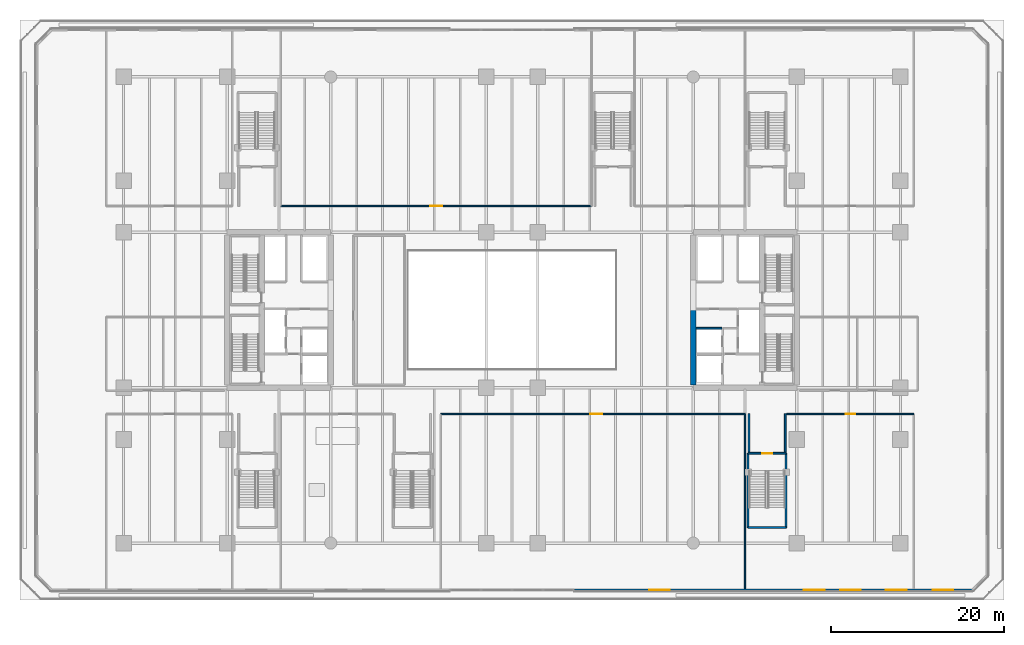
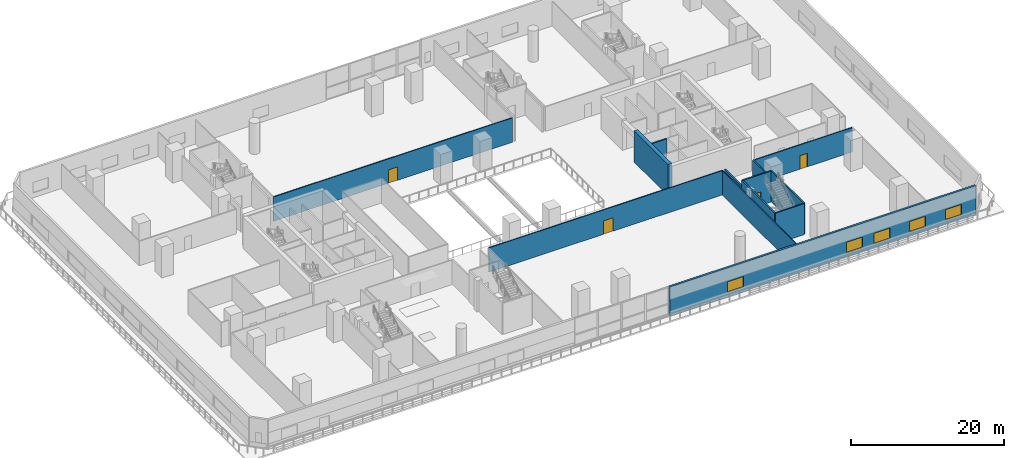
# One storey, part 8 of 24: 13 walls, 5 windows, 4 doors, 9 openings.
"""IFC4 building model written with IfcOpenShell, lengths in metres."""

from ifc_helpers import new_model, si_unit, direction, frame, frame_2d, origin, place, context, subcontext, project, spatial, rectangle, extrude, material, layer, layer_set, type_object, element, fill, save


model = new_model("IFC4")

# Units and contexts
model_context = context("Model", 3, precision=1e-05, world=origin(), true_north=direction((0.0, 1.0)))
body_context = subcontext(model_context, "Body", "Model", "MODEL_VIEW")
ifc_project = project(units=[si_unit("LENGTHUNIT", "METRE"), si_unit("AREAUNIT", "SQUARE_METRE"), si_unit("VOLUMEUNIT", "CUBIC_METRE"), si_unit("PLANEANGLEUNIT", "RADIAN"), si_unit("MASSUNIT", "GRAM", prefix="KILO")], contexts=[model_context])

# Site, building, storey
site_placement = place(None, origin())
site = spatial("IfcSite", under=ifc_project, at=site_placement, CompositionType="ELEMENT")
building_placement = place(site_placement, origin())
building = spatial("IfcBuilding", under=site, at=building_placement, Name="Tanjung Sevakor Pilgrim Tower", CompositionType="ELEMENT")
storey_placement = place(building_placement, frame((0.0, 0.0, 4.949951171875)))
storey = spatial("IfcBuildingStorey", under=building, at=storey_placement, Name="L02", CompositionType="ELEMENT", Elevation=4.949951171875)

# Wall
ifc_material_1 = material(Name="Concrete C60/75", Category="concrete")
ifc_layer_1 = layer(ifc_material_1, 0.60009765625)
ifc_layer_set_1 = layer_set([ifc_layer_1], Name="WALL-CW-600")
wall_type_1 = type_object("IfcWallType", Name="WALL-CW-600", PredefinedType="SHEAR", material=ifc_layer_set_1)
wall_1_placement = place(storey_placement, frame((78.0, 24.89990234375, 0.0), z_axis=(0.0, 0.0, 1.0), x_axis=(0.0, 1.0, 0.0)))
element("IfcWall", 1, at=wall_1_placement, inside=storey, type_object=wall_type_1, Name="L02 E Core Inner Shear Wall South", PredefinedType="SHEAR", context=body_context, shape_type="SweptSolid", body=[
    extrude(rectangle(XDim=8.900146484375, YDim=0.60009765625, at=frame_2d((4.4501953125, 0.0))), origin(), (0.0, 0.0, 1.0), 4.949951171875),
])

# Wall, opening, door
ifc_material_2 = material(Name="Concrete C40/50", Category="concrete")
ifc_layer_2 = layer(ifc_material_2, 0.14990234375)
ifc_layer_set_2 = layer_set([ifc_layer_2], Name="WT-COMP-150")
wall_type_2 = type_object("IfcWallType", Name="WT-COMP-150", PredefinedType="SOLIDWALL", material=ifc_layer_set_2)
wall_2_placement = place(storey_placement, frame((48.75, 21.550048828125, 0.0), z_axis=(0.0, 0.0, 1.0), x_axis=(1.0, 0.0, 0.0)))
wall_2 = element("IfcWall", 2, at=wall_2_placement, inside=storey, type_object=wall_type_2, Name="L02 Partition IW-L02-039", PredefinedType="SOLIDWALL", context=body_context, shape_type="SweptSolid", body=[
    extrude(rectangle(XDim=35.25, YDim=0.14990234375, at=frame_2d((17.625, 0.0))), origin(), (0.0, 0.0, 1.0), 3.889892578125),
])
opening_1_placement = place(wall_2_placement, frame((17.300048828125, 0.0, 0.0)))
opening_1 = element("IfcOpeningElement", 3, at=opening_1_placement, cuts=wall_2, Name="Opening ID-HD1", PredefinedType="OPENING", context=body_context, shape_type="SweptSolid", body=[
    extrude(rectangle(XDim=1.39990234375, YDim=2.14990234375, at=frame_2d((0.699951171875, 1.074951171875))), frame((0.0, 0.0849609375, 0.0), z_axis=(0.0, -1.0, 0.0), x_axis=(1.0, 0.0, 0.0)), (0.0, 0.0, 1.0), 0.169921875),
])
ifc_material_3 = material(Name="Hardwood Timber", Category="wood")
door_type_1 = type_object("IfcDoorType", Name="DT-INT-1400", OperationType="DOUBLE_DOOR_SINGLE_SWING", PredefinedType="DOOR", material=ifc_material_3)
door_1_placement = place(opening_1_placement, origin())
door_1 = element("IfcDoor", 4, at=door_1_placement, inside=storey, type_object=door_type_1, Name="L02 Prayer Hall East Door", OperationType="SINGLE_SWING_RIGHT", OverallHeight=2.14990234375, OverallWidth=1.39990234375, PredefinedType="DOOR", context=body_context, shape_type="SweptSolid", body=[
    extrude(rectangle(XDim=1.39990234375, YDim=2.14990234375, at=frame_2d((0.699951171875, 1.074951171875))), frame((0.0, 0.02490234375, 0.0), z_axis=(0.0, -1.0, 0.0), x_axis=(1.0, 0.0, 0.0)), (0.0, 0.0, 1.0), 0.050048828125),
])
fill(opening_1, door_1)

# Wall
wall_3_placement = place(storey_placement, frame((84.0, 1.300048828125, 0.0), z_axis=(0.0, 0.0, 1.0), x_axis=(0.0, 1.0, 0.0)))
element("IfcWall", 5, at=wall_3_placement, inside=storey, type_object=wall_type_2, Name="L02 Partition IW-L02-041", PredefinedType="SOLIDWALL", context=body_context, shape_type="SweptSolid", body=[
    extrude(rectangle(XDim=20.25, YDim=0.14990234375, at=frame_2d((10.125, 0.0))), origin(), (0.0, 0.0, 1.0), 3.889892578125),
])

# Wall, opening, door
wall_4_placement = place(storey_placement, frame((30.199951171875, 45.64990234375, 0.0), z_axis=(0.0, 0.0, 1.0), x_axis=(1.0, 0.0, 0.0)))
wall_4 = element("IfcWall", 6, at=wall_4_placement, inside=storey, type_object=wall_type_2, Name="L02 Partition IW-L02-042", PredefinedType="SOLIDWALL", context=body_context, shape_type="SweptSolid", body=[
    extrude(rectangle(XDim=36.0, YDim=0.14990234375, at=frame_2d((18.0, 0.0))), origin(), (0.0, 0.0, 1.0), 3.889892578125),
])
opening_2_placement = place(wall_4_placement, frame((17.300048828125, 0.0, 0.0)))
opening_2 = element("IfcOpeningElement", 7, at=opening_2_placement, cuts=wall_4, Name="Opening ID-HD1", PredefinedType="OPENING", context=body_context, shape_type="SweptSolid", body=[
    extrude(rectangle(XDim=1.39990234375, YDim=2.14990234375, at=frame_2d((0.699951171875, 1.074951171875))), frame((0.0, 0.0849609375, 0.0), z_axis=(0.0, -1.0, 0.0), x_axis=(1.0, 0.0, 0.0)), (0.0, 0.0, 1.0), 0.169921875),
])
door_2_placement = place(opening_2_placement, origin())
door_2 = element("IfcDoor", 8, at=door_2_placement, inside=storey, type_object=door_type_1, Name="L02 Prayer Hall North Door", OperationType="SINGLE_SWING_LEFT", OverallHeight=2.14990234375, OverallWidth=1.39990234375, PredefinedType="DOOR", context=body_context, shape_type="SweptSolid", body=[
    extrude(rectangle(XDim=1.39990234375, YDim=2.14990234375, at=frame_2d((0.699951171875, 1.074951171875))), frame((0.0, 0.02490234375, 0.0), z_axis=(0.0, -1.0, 0.0), x_axis=(1.0, 0.0, 0.0)), (0.0, 0.0, 1.0), 0.050048828125),
])
fill(opening_2, door_2)

wall_5_placement = place(storey_placement, frame((88.85009765625, 21.550048828125, 0.0), z_axis=(0.0, 0.0, 1.0), x_axis=(1.0, 0.0, 0.0)))
wall_5 = element("IfcWall", 9, at=wall_5_placement, inside=storey, type_object=wall_type_2, Name="L02 Partition IW-L02-072", PredefinedType="SOLIDWALL", context=body_context, shape_type="SweptSolid", body=[
    extrude(rectangle(XDim=14.699951171875, YDim=0.14990234375, at=frame_2d((7.35009765625, 0.0))), origin(), (0.0, 0.0, 1.0), 3.889892578125),
])
opening_3_placement = place(wall_5_placement, frame((6.800048828125, 0.0, 0.0)))
opening_3 = element("IfcOpeningElement", 10, at=opening_3_placement, cuts=wall_5, Name="Opening ID-RM2", PredefinedType="OPENING", context=body_context, shape_type="SweptSolid", body=[
    extrude(rectangle(XDim=1.10009765625, YDim=2.14990234375, at=frame_2d((0.550048828125, 1.074951171875))), frame((0.0, 0.0849609375, 0.0), z_axis=(0.0, -1.0, 0.0), x_axis=(1.0, 0.0, 0.0)), (0.0, 0.0, 1.0), 0.169921875),
])
ifc_material_4 = material(Name="Hardwood Timber", Category="wood")
door_type_2 = type_object("IfcDoorType", Name="DT-INT-1100", OperationType="NOTDEFINED", PredefinedType="DOOR", material=ifc_material_4)
door_3_placement = place(opening_3_placement, origin())
door_3 = element("IfcDoor", 11, at=door_3_placement, inside=storey, type_object=door_type_2, Name="L02 East Study Door", OperationType="SINGLE_SWING_LEFT", OverallHeight=2.14990234375, OverallWidth=1.10009765625, PredefinedType="DOOR", context=body_context, shape_type="SweptSolid", body=[
    extrude(rectangle(XDim=1.10009765625, YDim=2.14990234375, at=frame_2d((0.550048828125, 1.074951171875))), frame((0.0, 0.02490234375, 0.0), z_axis=(0.0, -1.0, 0.0), x_axis=(1.0, 0.0, 0.0)), (0.0, 0.0, 1.0), 0.050048828125),
])
fill(opening_3, door_3)

# Wall, openings, windows
ifc_material_5 = material(Name="Precast concrete C45/55", Category="concrete")
ifc_layer_3 = layer(ifc_material_5, 0.300048828125)
ifc_layer_set_3 = layer_set([ifc_layer_3], Name="WT-EW-STN1")
wall_type_3 = type_object("IfcWallType", Name="WT-EW-STN1", PredefinedType="SOLIDWALL", material=ifc_layer_set_3)
wall_6_placement = place(storey_placement, frame((64.199951171875, 1.14990234375, 0.0), z_axis=(0.0, 0.0, 1.0), x_axis=(1.0, 0.0, 0.0)))
wall_6 = element("IfcWall", 12, at=wall_6_placement, inside=storey, type_object=wall_type_3, Name="L02 Cascading Podium Limestone Wall S2", PredefinedType="SOLIDWALL", context=body_context, shape_type="SweptSolid", body=[
    extrude(rectangle(XDim=46.137939453125, YDim=0.300048828125, at=frame_2d((23.06884765625, 0.0))), origin(), (0.0, 0.0, 1.0), 4.669921875),
])
opening_4_placement = place(wall_6_placement, frame((8.699951171875, 0.0, 0.780029296875)))
opening_4 = element("IfcOpeningElement", 13, at=opening_4_placement, cuts=wall_6, Name="Opening WN-P1-1660", PredefinedType="OPENING", context=body_context, shape_type="SweptSolid", body=[
    extrude(rectangle(XDim=2.39990234375, YDim=1.659912109375, at=frame_2d((1.199951171875, 0.830078125))), frame((0.0, 0.159912109375, 0.0), z_axis=(0.0, -1.0, 0.0), x_axis=(1.0, 0.0, 0.0)), (0.0, 0.0, 1.0), 0.320068359375),
])
opening_5_placement = place(wall_6_placement, frame((30.800048828125, 0.0, 0.780029296875)))
opening_5 = element("IfcOpeningElement", 14, at=opening_5_placement, cuts=wall_6, Name="Opening WN-P1-1660", PredefinedType="OPENING", context=body_context, shape_type="SweptSolid", body=[
    extrude(rectangle(XDim=2.39990234375, YDim=1.659912109375, at=frame_2d((1.199951171875, 0.830078125))), frame((0.0, 0.159912109375, 0.0), z_axis=(0.0, -1.0, 0.0), x_axis=(1.0, 0.0, 0.0)), (0.0, 0.0, 1.0), 0.320068359375),
])
opening_6_placement = place(wall_6_placement, frame((41.5439453125, 0.0, 0.780029296875)))
opening_6 = element("IfcOpeningElement", 15, at=opening_6_placement, cuts=wall_6, Name="Opening WN-P1-1660", PredefinedType="OPENING", context=body_context, shape_type="SweptSolid", body=[
    extrude(rectangle(XDim=2.39990234375, YDim=1.659912109375, at=frame_2d((1.199951171875, 0.830078125))), frame((0.0, 0.159912109375, 0.0), z_axis=(0.0, -1.0, 0.0), x_axis=(1.0, 0.0, 0.0)), (0.0, 0.0, 1.0), 0.320068359375),
])
opening_7_placement = place(wall_6_placement, frame((26.618896484375, 0.0, 0.780029296875)))
opening_7 = element("IfcOpeningElement", 16, at=opening_7_placement, cuts=wall_6, Name="Opening WN-P1-1660", PredefinedType="OPENING", context=body_context, shape_type="SweptSolid", body=[
    extrude(rectangle(XDim=2.39990234375, YDim=1.659912109375, at=frame_2d((1.199951171875, 0.830078125))), frame((0.0, 0.159912109375, 0.0), z_axis=(0.0, -1.0, 0.0), x_axis=(1.0, 0.0, 0.0)), (0.0, 0.0, 1.0), 0.320068359375),
])
opening_8_placement = place(wall_6_placement, frame((36.118896484375, 0.0, 0.780029296875)))
opening_8 = element("IfcOpeningElement", 17, at=opening_8_placement, cuts=wall_6, Name="Opening WN-P1-1660", PredefinedType="OPENING", context=body_context, shape_type="SweptSolid", body=[
    extrude(rectangle(XDim=2.39990234375, YDim=1.659912109375, at=frame_2d((1.199951171875, 0.830078125))), frame((0.0, 0.159912109375, 0.0), z_axis=(0.0, -1.0, 0.0), x_axis=(1.0, 0.0, 0.0)), (0.0, 0.0, 1.0), 0.320068359375),
])
ifc_material_6 = material(Name="Thermally Broken Aluminium and Low-E Glass", Category="aluminium")
window_type = type_object("IfcWindowType", Name="WTYP-WN-P1-1660", PartitioningType="DOUBLE_PANEL_VERTICAL", PredefinedType="WINDOW", material=ifc_material_6)
window_1_placement = place(opening_4_placement, origin())
window_1 = element("IfcWindow", 18, at=window_1_placement, inside=storey, type_object=window_type, Name="L02 Facade Window 01", OverallHeight=1.659912109375, OverallWidth=2.39990234375, PartitioningType="SINGLE_PANEL", PredefinedType="WINDOW", context=body_context, shape_type="SweptSolid", body=[
    extrude(rectangle(XDim=2.39990234375, YDim=1.659912109375, at=frame_2d((1.199951171875, 0.830078125))), frame((0.0, 0.030029296875, 0.0), z_axis=(0.0, -1.0, 0.0), x_axis=(1.0, 0.0, 0.0)), (0.0, 0.0, 1.0), 0.06005859375),
])
fill(opening_4, window_1)
window_2_placement = place(opening_5_placement, origin())
window_2 = element("IfcWindow", 19, at=window_2_placement, inside=storey, type_object=window_type, Name="L02 Facade Window 02", OverallHeight=1.659912109375, OverallWidth=2.39990234375, PartitioningType="SINGLE_PANEL", PredefinedType="WINDOW", context=body_context, shape_type="SweptSolid", body=[
    extrude(rectangle(XDim=2.39990234375, YDim=1.659912109375, at=frame_2d((1.199951171875, 0.830078125))), frame((0.0, 0.030029296875, 0.0), z_axis=(0.0, -1.0, 0.0), x_axis=(1.0, 0.0, 0.0)), (0.0, 0.0, 1.0), 0.06005859375),
])
fill(opening_5, window_2)
window_3_placement = place(opening_6_placement, origin())
window_3 = element("IfcWindow", 20, at=window_3_placement, inside=storey, type_object=window_type, Name="L02 Facade Window 03", OverallHeight=1.659912109375, OverallWidth=2.39990234375, PartitioningType="SINGLE_PANEL", PredefinedType="WINDOW", context=body_context, shape_type="SweptSolid", body=[
    extrude(rectangle(XDim=2.39990234375, YDim=1.659912109375, at=frame_2d((1.199951171875, 0.830078125))), frame((0.0, 0.030029296875, 0.0), z_axis=(0.0, -1.0, 0.0), x_axis=(1.0, 0.0, 0.0)), (0.0, 0.0, 1.0), 0.06005859375),
])
fill(opening_6, window_3)
window_4_placement = place(opening_7_placement, origin())
window_4 = element("IfcWindow", 21, at=window_4_placement, inside=storey, type_object=window_type, Name="L02 Facade Window 04", OverallHeight=1.659912109375, OverallWidth=2.39990234375, PartitioningType="SINGLE_PANEL", PredefinedType="WINDOW", context=body_context, shape_type="SweptSolid", body=[
    extrude(rectangle(XDim=2.39990234375, YDim=1.659912109375, at=frame_2d((1.199951171875, 0.830078125))), frame((0.0, 0.030029296875, 0.0), z_axis=(0.0, -1.0, 0.0), x_axis=(1.0, 0.0, 0.0)), (0.0, 0.0, 1.0), 0.06005859375),
])
fill(opening_7, window_4)
window_5_placement = place(opening_8_placement, origin())
window_5 = element("IfcWindow", 22, at=window_5_placement, inside=storey, type_object=window_type, Name="L02 Facade Window 05", OverallHeight=1.659912109375, OverallWidth=2.39990234375, PartitioningType="SINGLE_PANEL", PredefinedType="WINDOW", context=body_context, shape_type="SweptSolid", body=[
    extrude(rectangle(XDim=2.39990234375, YDim=1.659912109375, at=frame_2d((1.199951171875, 0.830078125))), frame((0.0, 0.030029296875, 0.0), z_axis=(0.0, -1.0, 0.0), x_axis=(1.0, 0.0, 0.0)), (0.0, 0.0, 1.0), 0.06005859375),
])
fill(opening_8, window_5)

# Walls
ifc_material_7 = material(Name="Concrete C40/50", Category="concrete")
ifc_layer_4 = layer(ifc_material_7, 0.199951171875)
ifc_layer_set_4 = layer_set([ifc_layer_4], Name="WT-FIRE-200")
wall_type_4 = type_object("IfcWallType", Name="WT-FIRE-200", PredefinedType="SOLIDWALL", material=ifc_layer_set_4)
wall_7_placement = place(storey_placement, frame((84.35009765625, 8.39990234375, 0.0), z_axis=(0.0, 0.0, 1.0), x_axis=(1.0, 0.0, 0.0)))
element("IfcWall", 23, at=wall_7_placement, inside=storey, type_object=wall_type_4, Name="L02 PS-5 Shaft Wall 1", PredefinedType="SOLIDWALL", context=body_context, shape_type="SweptSolid", body=[
    extrude(rectangle(XDim=4.39990234375, YDim=0.199951171875, at=frame_2d((2.199951171875, 0.0))), origin(), (0.0, 0.0, 1.0), 4.949951171875),
])
wall_8_placement = place(storey_placement, frame((88.75, 8.39990234375, 0.0), z_axis=(0.0, 0.0, 1.0), x_axis=(0.0, 1.0, 0.0)))
element("IfcWall", 24, at=wall_8_placement, inside=storey, type_object=wall_type_4, Name="L02 PS-5 Shaft Wall 2", PredefinedType="SOLIDWALL", context=body_context, shape_type="SweptSolid", body=[
    extrude(rectangle(XDim=8.60009765625, YDim=0.199951171875, at=frame_2d((4.300048828125, 0.0))), origin(), (0.0, 0.0, 1.0), 4.949951171875),
])

# Wall, opening, door
wall_9_placement = place(storey_placement, frame((88.75, 17.0, 0.0), z_axis=(0.0, 0.0, 1.0), x_axis=(-1.0, 0.0, 0.0)))
wall_9 = element("IfcWall", 25, at=wall_9_placement, inside=storey, type_object=wall_type_4, Name="L02 PS-5 Shaft Wall 3", PredefinedType="SOLIDWALL", context=body_context, shape_type="SweptSolid", body=[
    extrude(rectangle(XDim=4.39990234375, YDim=0.199951171875, at=frame_2d((2.199951171875, 0.0))), origin(), (0.0, 0.0, 1.0), 4.949951171875),
])
opening_9_placement = place(wall_9_placement, frame((1.625, 0.0, 0.0)))
opening_9 = element("IfcOpeningElement", 26, at=opening_9_placement, cuts=wall_9, Name="Opening ID-ST1", PredefinedType="OPENING", context=body_context, shape_type="SweptSolid", body=[
    extrude(rectangle(XDim=1.14990234375, YDim=2.14990234375, at=frame_2d((0.574951171875, 1.074951171875))), frame((0.0, 0.10986328125, 0.0), z_axis=(0.0, -1.0, 0.0), x_axis=(1.0, 0.0, 0.0)), (0.0, 0.0, 1.0), 0.219970703125),
])
ifc_material_8 = material(Name="Fire-Rated Steel S355J2", Category="steel")
door_type_3 = type_object("IfcDoorType", Name="DT-FIRE-1150", OperationType="NOTDEFINED", PredefinedType="DOOR", material=ifc_material_8)
door_4_placement = place(opening_9_placement, origin())
door_4 = element("IfcDoor", 27, at=door_4_placement, inside=storey, type_object=door_type_3, Name="L02 PS-5 Stair Entry Fire Door", OperationType="SINGLE_SWING_RIGHT", OverallHeight=2.14990234375, OverallWidth=1.14990234375, PredefinedType="DOOR", context=body_context, shape_type="SweptSolid", body=[
    extrude(rectangle(XDim=1.14990234375, YDim=2.14990234375, at=frame_2d((0.574951171875, 1.074951171875))), frame((0.0, 0.02490234375, 0.0), z_axis=(0.0, -1.0, 0.0), x_axis=(1.0, 0.0, 0.0)), (0.0, 0.0, 1.0), 0.050048828125),
])
fill(opening_9, door_4)

# Walls
wall_10_placement = place(storey_placement, frame((84.35009765625, 17.0, 0.0), z_axis=(0.0, 0.0, 1.0), x_axis=(0.0, -1.0, 0.0)))
element("IfcWall", 28, at=wall_10_placement, inside=storey, type_object=wall_type_4, Name="L02 PS-5 Shaft Wall 4", PredefinedType="SOLIDWALL", context=body_context, shape_type="SweptSolid", body=[
    extrude(rectangle(XDim=8.60009765625, YDim=0.199951171875, at=frame_2d((4.300048828125, 0.0))), origin(), (0.0, 0.0, 1.0), 4.949951171875),
])
ifc_material_9 = material(Name="Concrete C40/50", Category="concrete")
ifc_layer_5 = layer(ifc_material_9, 0.199951171875)
ifc_layer_set_5 = layer_set([ifc_layer_5], Name="WT-FPRT-200")
wall_type_5 = type_object("IfcWallType", Name="WT-FPRT-200", PredefinedType="SOLIDWALL", material=ifc_layer_set_5)
wall_11_placement = place(storey_placement, frame((78.320068359375, 31.47998046875, 0.0), z_axis=(0.0, 0.0, 1.0), x_axis=(1.0, 0.0, 0.0)))
element("IfcWall", 29, at=wall_11_placement, inside=storey, type_object=wall_type_5, Name="L02 Partition IW-L02-017", PredefinedType="SOLIDWALL", context=body_context, shape_type="SweptSolid", body=[
    extrude(rectangle(XDim=3.0, YDim=0.199951171875, at=frame_2d((1.5, 0.0))), origin(), (0.0, 0.0, 1.0), 3.889892578125),
])
for number, where, z_axis, x_axis, name in (
    (30, (84.449951171875, 17.0, 0.0), (0.0, 0.0, 1.0), (0.0, 1.0, 0.0), "L02 Partition IW-L02-029"),
    (31, (88.64990234375, 17.0, 0.0), (0.0, 0.0, 1.0), (0.0, 1.0, 0.0), "L02 Partition IW-L02-030"),
):
    element("IfcWall", number, at=place(storey_placement, frame(where, z_axis=z_axis, x_axis=x_axis)), inside=storey, type_object=wall_type_5, Name=name, PredefinedType="SOLIDWALL", context=body_context, shape_type="SweptSolid", body=[
        extrude(rectangle(XDim=4.60009765625, YDim=0.199951171875, at=frame_2d((2.300048828125, 0.0))), origin(), (0.0, 0.0, 1.0), 3.889892578125),
    ])

save(model, "model.ifc")
